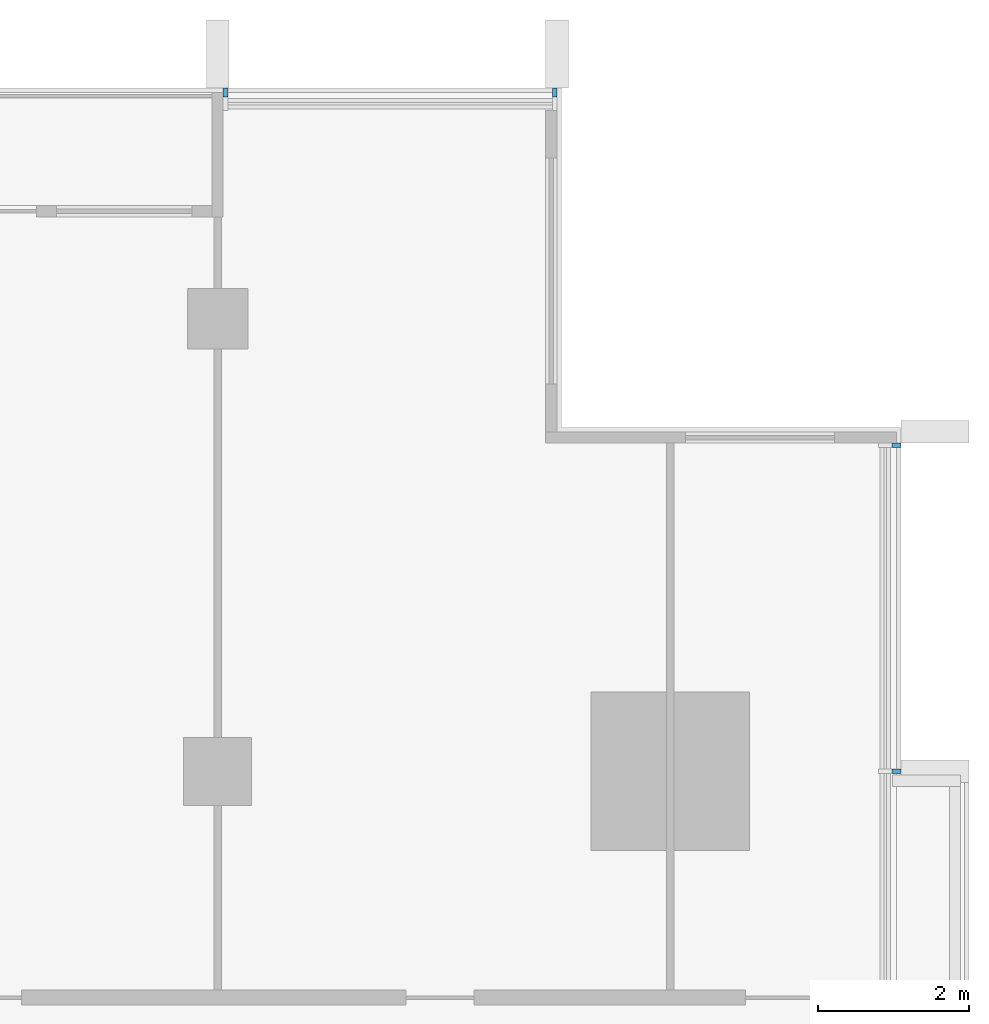
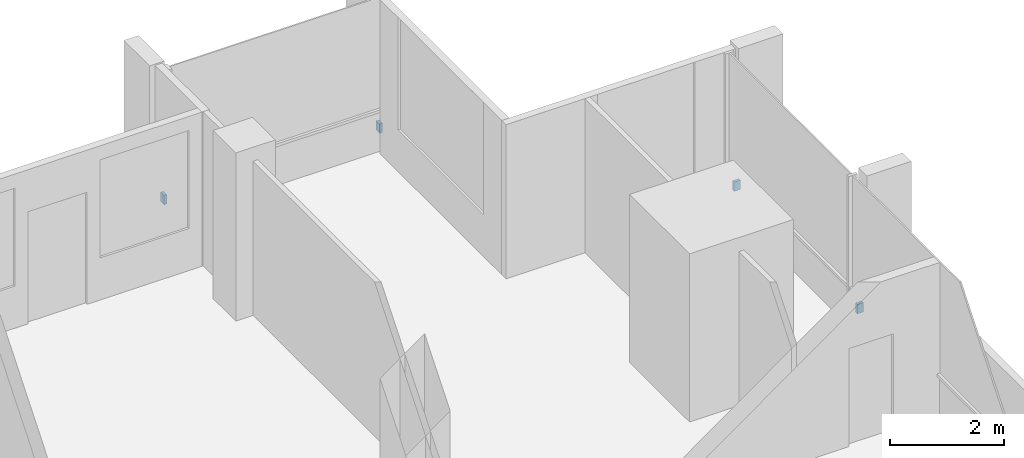
# One storey, part 15 of 16: 4 discrete accessories.
"""IFC4 building model written with IfcOpenShell, lengths in metres."""

from ifc_helpers import new_model, si_unit, direction, frame, origin, origin_2d, place, context, subcontext, project, spatial, rectangle, extrude, material, type_object, element, save


model = new_model("IFC4")

# Units and contexts
model_context = context("Model", 3, precision=1e-05, world=origin(), true_north=direction((0.0, 1.0)))
body_context = subcontext(model_context, "Body", "Model", "MODEL_VIEW")
ifc_project = project(units=[si_unit("LENGTHUNIT", "METRE"), si_unit("AREAUNIT", "SQUARE_METRE"), si_unit("VOLUMEUNIT", "CUBIC_METRE"), si_unit("PLANEANGLEUNIT", "RADIAN"), si_unit("MASSUNIT", "GRAM", prefix="KILO")], contexts=[model_context])

# Site, building, storey
site_placement = place(None, origin())
site = spatial("IfcSite", under=ifc_project, at=site_placement, CompositionType="ELEMENT")
building_placement = place(site_placement, origin())
building = spatial("IfcBuilding", under=site, at=building_placement, Name="Finial Court Residences", CompositionType="ELEMENT")
storey_placement = place(building_placement, frame((0.0, 0.0, 230.300048828125)))
storey = spatial("IfcBuildingStorey", under=building, at=storey_placement, Name="L58", CompositionType="ELEMENT", Elevation=230.300048828125)

# Discrete accessories
ifc_material = material(Name="Stainless steel 316", Category="steel")
discrete_accessory_type = type_object("IfcDiscreteAccessoryType", Name="Fin bracket, stainless steel 60 x 122 x 200", PredefinedType="BRACKET", material=ifc_material)
for number, where, z_axis, x_axis, name in (
    (1, (10.60498046875, 16.498779296875, 0.2998046875), (0.0, 0.0, 1.0), (1.0, 0.0, 0.0), "E-L58-FIN-N5-BRK"),
    (2, (14.969970703125, 16.498779296875, 0.2998046875), (0.0, 0.0, 1.0), (1.0, 0.0, 0.0), "E-L58-FIN-N6-BRK"),
):
    element("IfcDiscreteAccessory", number, at=place(storey_placement, frame(where, z_axis=z_axis, x_axis=x_axis)), inside=storey, type_object=discrete_accessory_type, Name=name, PredefinedType="BRACKET", context=body_context, shape_type="SweptSolid", body=[
        extrude(rectangle(XDim=0.06005859375, YDim=0.12255859375, at=origin_2d()), origin(), (0.0, 0.0, 1.0), 0.199951171875),
    ])
for number, where, z_axis, x_axis, name in (
    (3, (19.498779296875, 7.5, 0.2998046875), (0.0, 0.0, 1.0), (1.0, 0.0, 0.0), "E-L58-FIN-E11-BRK"),
    (4, (19.498779296875, 11.820068359375, 0.2998046875), (0.0, 0.0, 1.0), (1.0, 0.0, 0.0), "E-L58-FIN-E12-BRK"),
):
    element("IfcDiscreteAccessory", number, at=place(storey_placement, frame(where, z_axis=z_axis, x_axis=x_axis)), inside=storey, type_object=discrete_accessory_type, Name=name, PredefinedType="BRACKET", context=body_context, shape_type="SweptSolid", body=[
        extrude(rectangle(XDim=0.12255859375, YDim=0.06005859375, at=origin_2d()), origin(), (0.0, 0.0, 1.0), 0.199951171875),
    ])

save(model, "model.ifc")
